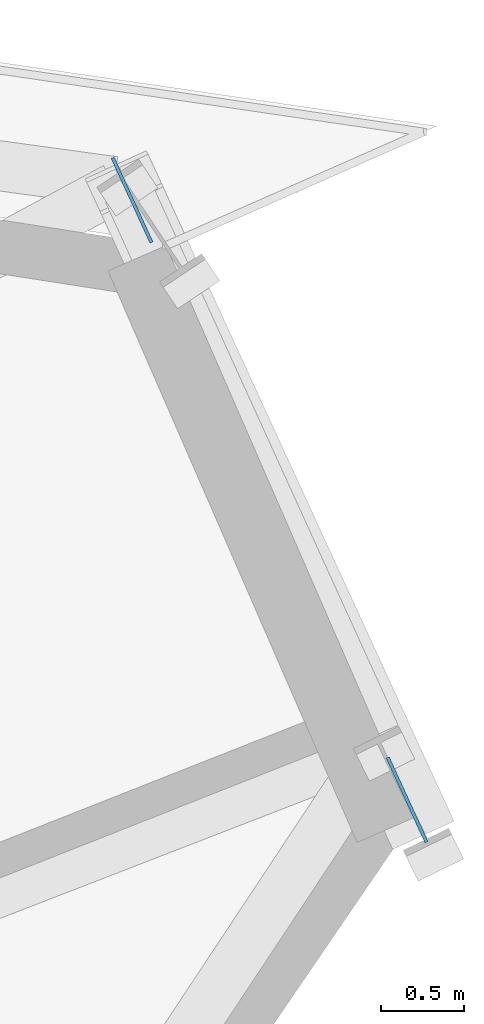
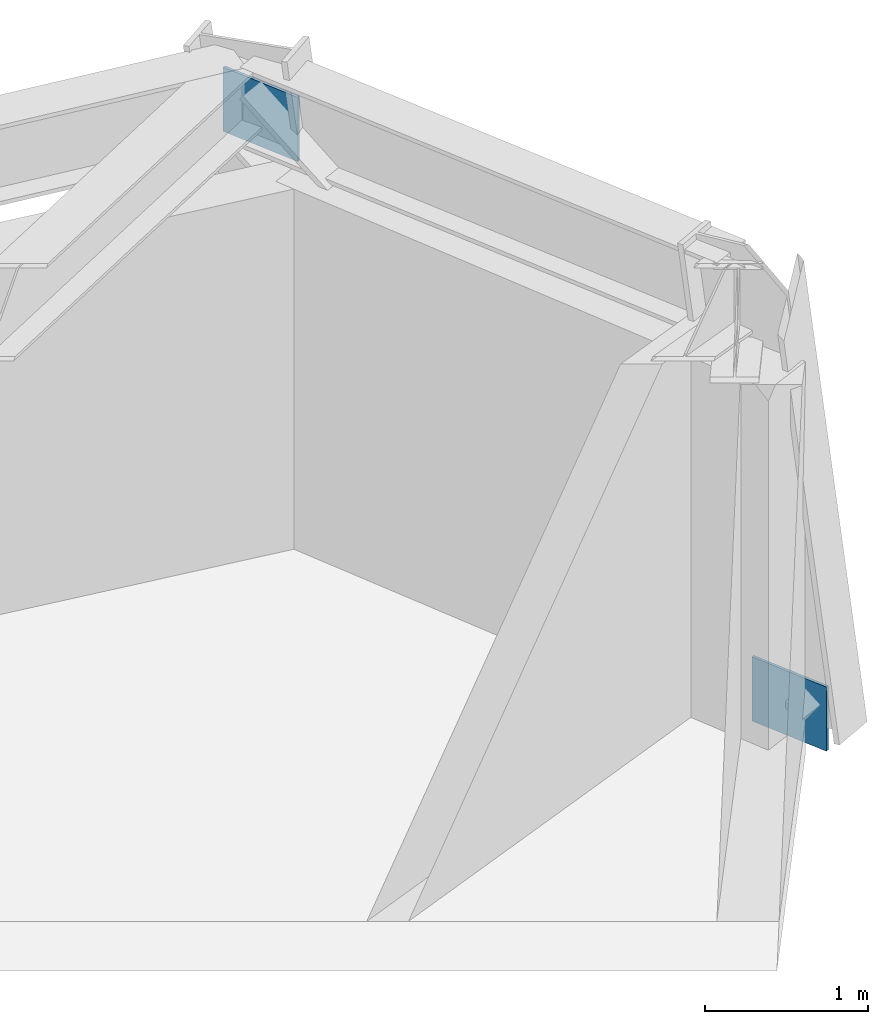
# One storey, part 8 of 14: 2 plates.
"""IFC4 building model written with IfcOpenShell, lengths in metres."""

from ifc_helpers import new_model, si_unit, direction, frame, origin, origin_2d, place, context, subcontext, project, spatial, rectangle, extrude, source, transform, mapped, material, type_object, element, save


model = new_model("IFC4")

# Units and contexts
model_context = context("Model", 3, precision=1e-05, world=origin(), true_north=direction((0.0, 1.0)))
body_context = subcontext(model_context, "Body", "Model", "MODEL_VIEW")
ifc_project = project(units=[si_unit("LENGTHUNIT", "METRE"), si_unit("AREAUNIT", "SQUARE_METRE"), si_unit("VOLUMEUNIT", "CUBIC_METRE"), si_unit("PLANEANGLEUNIT", "RADIAN"), si_unit("MASSUNIT", "GRAM", prefix="KILO")], contexts=[model_context])

# Site, building, storey
site_placement = place(None, origin())
site = spatial("IfcSite", under=ifc_project, at=site_placement, CompositionType="ELEMENT")
building_placement = place(site_placement, origin())
building = spatial("IfcBuilding", under=site, at=building_placement, Name="Olszyna Solenne Hotel", CompositionType="ELEMENT")
storey_placement = place(building_placement, frame((0.0, 0.0, 130.550048828125)))
storey = spatial("IfcBuildingStorey", under=building, at=storey_placement, Name="L34", CompositionType="ELEMENT", Elevation=130.550048828125)

# Plates
ifc_material = material(Name="Steel S355J2", Category="steel")
plate_type = type_object("IfcPlateType", Name="GP-ND2", PredefinedType="USERDEFINED", material=ifc_material)
shared_shape = source(origin(), body_context, "Body", "SweptSolid", [
    extrude(rectangle(XDim=0.56005859375, YDim=0.02001953125, at=origin_2d()), origin(), (0.0, 0.0, 1.0), 0.47998046875),
])
for number, where, z_axis, x_axis, name in (
    (1, (65.91015625, 37.01953125, -0.1494140625), (0.0, 0.0, 1.0), (-0.416915457315, 0.908945268678, 0.0), "Brace end connection gusset plate GP-ND2 EP-BR-L34-1-1"),
    (2, (64.255615234375, 40.627197265625, 2.649169921875), (0.0, 0.0, 1.0), (-0.416915457315, 0.908945268678, 0.0), "Brace end connection gusset plate GP-ND2 EP-BR-L34-1-2"),
):
    element("IfcPlate", number, at=place(storey_placement, frame(where, z_axis=z_axis, x_axis=x_axis)), inside=storey, type_object=plate_type, Name=name, ObjectType="GUSSET_PLATE", PredefinedType="USERDEFINED", context=body_context, shape_type="MappedRepresentation", body=[
        mapped(shared_shape, transform((0.0, 0.0, 0.0), x_axis=(1.0, 0.0, 0.0), y_axis=(0.0, 1.0, 0.0), z_axis=(0.0, 0.0, 1.0), scale=1.0)),
    ])

save(model, "model.ifc")
